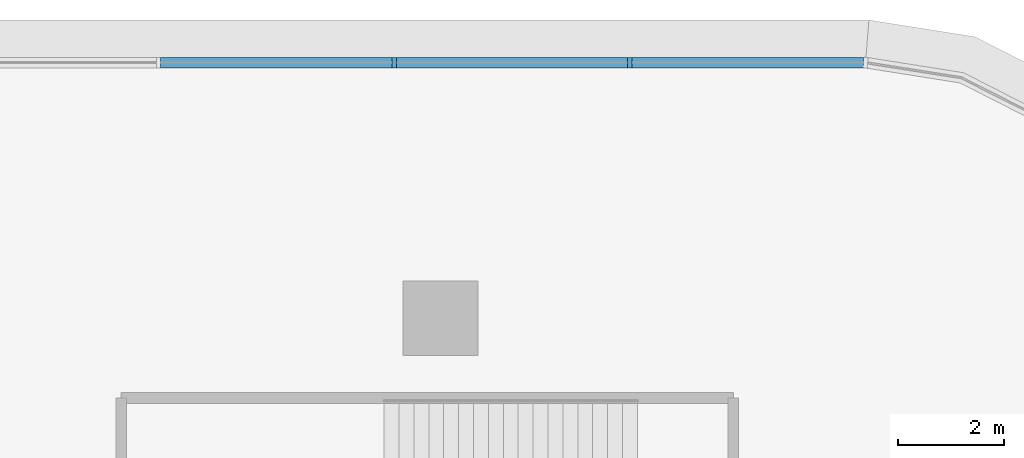
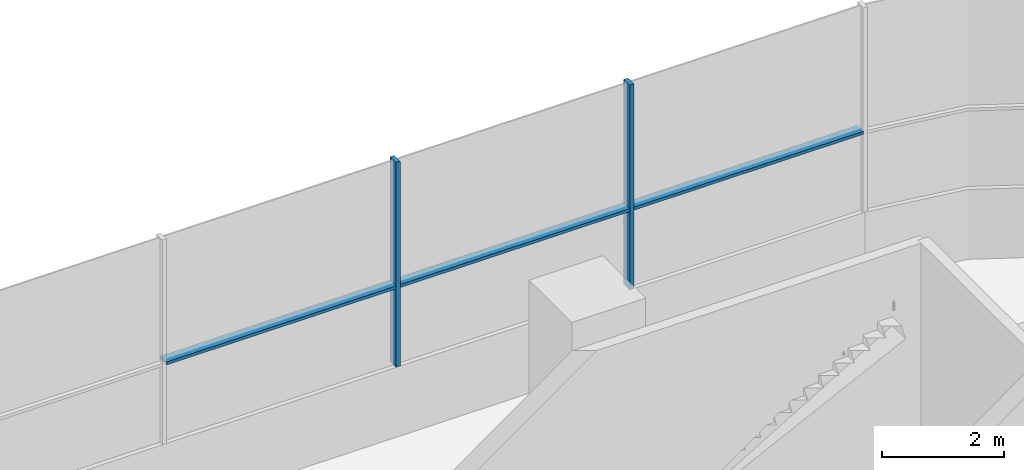
# One storey, part 17 of 52: 5 members, 1 element without a shape of its own.
"""IFC4 building model written with IfcOpenShell, lengths in metres."""

from ifc_helpers import new_model, si_unit, direction, frame, origin, origin_2d, place, context, subcontext, project, spatial, polyline, rectangle, outline, extrude, material, layer, layer_set, material_profile, profile_set, type_object, element, aggregate, save


model = new_model("IFC4")

# Units and contexts
model_context = context("Model", 3, precision=1e-05, world=origin(), true_north=direction((0.0, 1.0)))
body_context = subcontext(model_context, "Body", "Model", "MODEL_VIEW")
ifc_project = project(units=[si_unit("LENGTHUNIT", "METRE"), si_unit("AREAUNIT", "SQUARE_METRE"), si_unit("VOLUMEUNIT", "CUBIC_METRE"), si_unit("PLANEANGLEUNIT", "RADIAN"), si_unit("MASSUNIT", "GRAM", prefix="KILO")], contexts=[model_context])

# Site, building, storey
site_placement = place(None, origin())
site = spatial("IfcSite", under=ifc_project, at=site_placement, CompositionType="ELEMENT")
building_placement = place(site_placement, origin())
building = spatial("IfcBuilding", under=site, at=building_placement, Name="Tamarind Cross Interchange Tower", CompositionType="ELEMENT")
storey_placement = place(building_placement, frame((0.0, 0.0, 9.0)))
storey = spatial("IfcBuildingStorey", under=building, at=storey_placement, Name="L01", CompositionType="ELEMENT", Elevation=9.0)

# Curtain wall, members
ifc_material = material(Name="Aluminium 6063-T6", Category="aluminium")
ifc_layer = layer(ifc_material, 0.199951171875)
ifc_layer_set = layer_set([ifc_layer], Name="Aluminium 6063-T6")
curtain_wall_type = type_object("IfcCurtainWallType", Name="Podium shopfront and station curtain wall", PredefinedType="NOTDEFINED", material=ifc_layer_set)
curtain_wall_placement = place(storey_placement, origin())
curtain_wall = element("IfcCurtainWall", 1, at=curtain_wall_placement, inside=storey, type_object=curtain_wall_type, Name="CWS-L01-02", PredefinedType="NOTDEFINED")
ifc_material_profile = material_profile(ifc_material, rectangle(XDim=0.080078125, YDim=0.199951171875, at=origin_2d()), Name="Mullion CW3")
ifc_profile_set = profile_set([ifc_material_profile], Name="Aluminium 6063-T6")
member_type_1 = type_object("IfcMemberType", Name="Mullion CW3", PredefinedType="MULLION", material=ifc_profile_set)
member_1_placement = place(storey_placement, frame((57.556884765625, 58.800048828125, 1.39990234375), z_axis=(0.0, 0.0, 1.0), x_axis=(-1.0, 0.0, 0.0)))
member_1 = element("IfcMember", 2, at=member_1_placement, type_object=member_type_1, Name="CWM-L01-02-01", PredefinedType="MULLION", context=body_context, shape_type="SweptSolid", body=[
    extrude(rectangle(XDim=0.080078125, YDim=0.199951171875, at=origin_2d()), origin(), (0.0, 0.0, 1.0), 4.10009765625),
])
member_2_placement = place(storey_placement, frame((53.12939453125, 58.800048828125, 1.39990234375), z_axis=(0.0, 0.0, 1.0), x_axis=(-1.0, 0.0, 0.0)))
member_2 = element("IfcMember", 3, at=member_2_placement, type_object=member_type_1, Name="CWM-L01-02-02", PredefinedType="MULLION", context=body_context, shape_type="SweptSolid", body=[
    extrude(rectangle(XDim=0.080078125, YDim=0.199951171875, at=origin_2d()), origin(), (0.0, 0.0, 1.0), 4.10009765625),
])
member_type_2 = type_object("IfcMemberType", Name="Podium intermediate transom", PredefinedType="USERDEFINED", material=ifc_material)
member_3_placement = place(storey_placement, frame((0.0, 0.0, 2.969970703125)))
member_3 = element("IfcMember", 4, at=member_3_placement, type_object=member_type_2, Name="CWT-L01-02-I0-00", ObjectType="TRANSOM", PredefinedType="USERDEFINED", context=body_context, shape_type="SweptSolid", body=[
    extrude(outline(polyline([(61.9443359375, 58.699951171875), (57.596923828125, 58.699951171875), (57.596923828125, 58.89990234375), (61.9443359375, 58.89990234375), (61.9443359375, 58.699951171875)])), origin(), (0.0, 0.0, 1.0), 0.06005859375),
])
member_4_placement = place(storey_placement, frame((0.0, 0.0, 2.969970703125)))
member_4 = element("IfcMember", 5, at=member_4_placement, type_object=member_type_2, Name="CWT-L01-02-I0-01", ObjectType="TRANSOM", PredefinedType="USERDEFINED", context=body_context, shape_type="SweptSolid", body=[
    extrude(outline(polyline([(57.516845703125, 58.699951171875), (53.16943359375, 58.699951171875), (53.16943359375, 58.89990234375), (57.516845703125, 58.89990234375), (57.516845703125, 58.699951171875)])), origin(), (0.0, 0.0, 1.0), 0.06005859375),
])
member_5_placement = place(storey_placement, frame((0.0, 0.0, 2.969970703125)))
member_5 = element("IfcMember", 6, at=member_5_placement, type_object=member_type_2, Name="CWT-L01-02-I0-02", ObjectType="TRANSOM", PredefinedType="USERDEFINED", context=body_context, shape_type="SweptSolid", body=[
    extrude(outline(polyline([(53.08935546875, 58.699951171875), (48.741943359375, 58.699951171875), (48.741943359375, 58.89990234375), (53.08935546875, 58.89990234375), (53.08935546875, 58.699951171875)])), origin(), (0.0, 0.0, 1.0), 0.06005859375),
])
aggregate(curtain_wall, [member_1, member_2, member_3, member_4, member_5])

save(model, "model.ifc")
